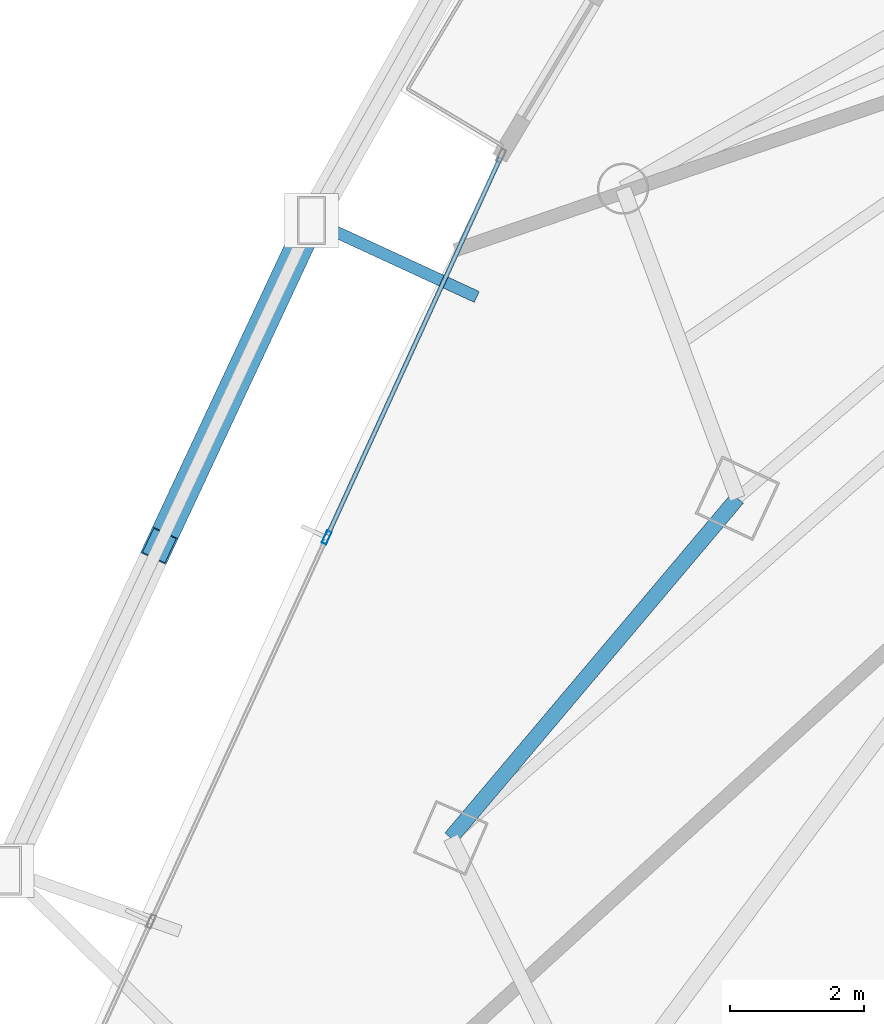
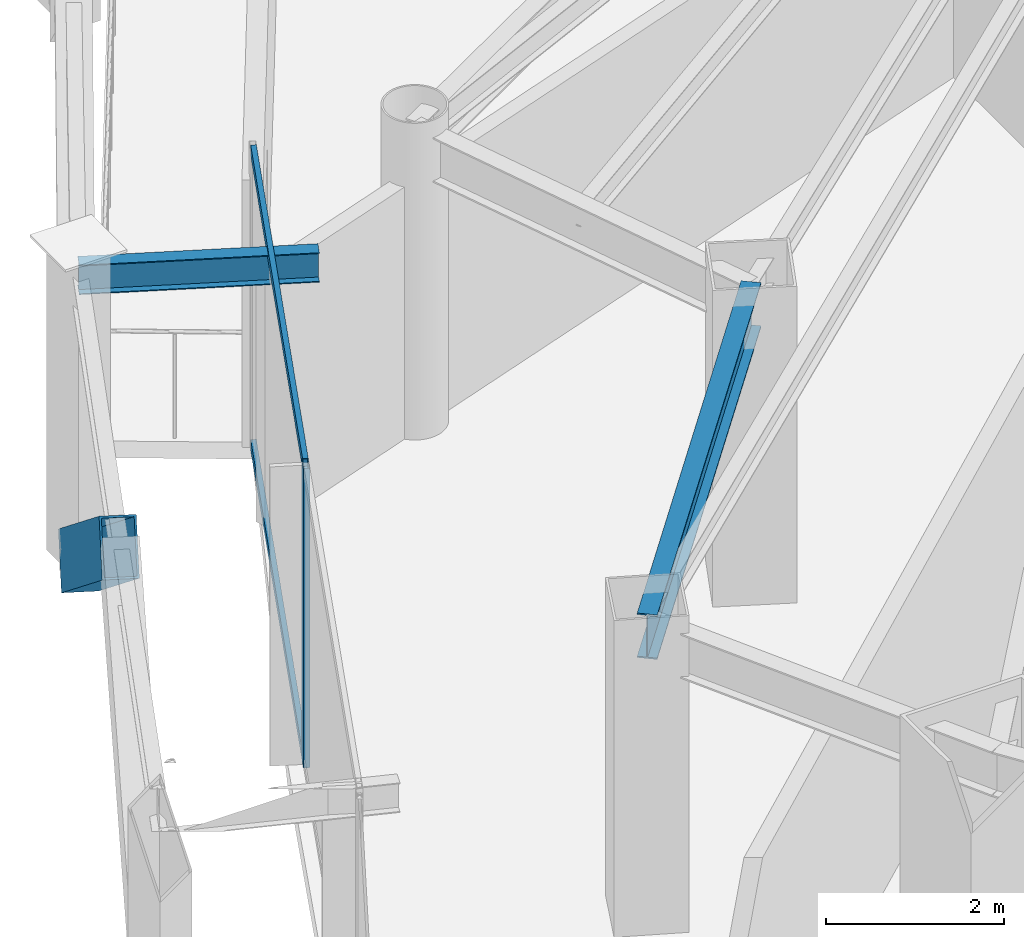
# One storey, part 8 of 33: 4 members, 2 beams, 1 element without a shape of its own.
"""IFC4 building model written with IfcOpenShell, lengths in metres."""

import ifcopenshell
import ifcopenshell.guid

model = None  # the IFC model being written
_history = None  # IfcOwnerHistory: only IFC2X3 demands one
_inside = {}  # id of a spatial element -> (the spatial element, [elements in it])
_under = {}  # id of a project, library or spatial element -> (it, [spatial elements below it])
_declared = {}  # id of a project -> (the project, [libraries it declares])
_typed = {}  # id of a type object -> (the type object, [elements of that type])
_made_of = {}  # id of a material, layer set ... -> (it, [elements and type objects made of it])


def new_model(schema):
    """Start an empty IFC model of exactly this schema.

    Asked for "IFC4X3", IfcOpenShell would pick the latest addendum, in which some entities
    have other attributes; the version numbers below select the first issue.
    IFC2X3 requires an IfcOwnerHistory on every rooted entity: one is made here for all.
    """
    global model, _history
    if schema == "IFC4X3":
        model = ifcopenshell.file(schema_version=(4, 3, 0, 0))
    else:
        model = ifcopenshell.file(schema=schema)
    _inside.clear()
    _under.clear()
    _declared.clear()
    _typed.clear()
    _made_of.clear()
    _history = None
    if model.schema == "IFC2X3":
        org = make("IfcOrganization", Name="unknown")
        user = make(
            "IfcPersonAndOrganization",
            ThePerson=make("IfcPerson", FamilyName="unknown"),
            TheOrganization=org,
        )
        app = make(
            "IfcApplication",
            ApplicationDeveloper=org,
            Version="unknown",
            ApplicationFullName="unknown",
            ApplicationIdentifier="unknown",
        )
        _history = make(
            "IfcOwnerHistory",
            OwningUser=user,
            OwningApplication=app,
            ChangeAction="ADDED",
            CreationDate=0,
        )
    return model


def make(cls, **values):
    """One entity of the class cls with the attributes given. An attribute that is None is left unset."""
    return model.create_entity(
        cls, **{name: value for name, value in values.items() if value is not None}
    )


def rooted(cls, **values):
    """An entity with a GlobalId (a new one), such as an element, a storey or a relation."""
    return make(cls, GlobalId=ifcopenshell.guid.new(), OwnerHistory=_history, **values)


def si_unit(unit_type, name, prefix=None):
    """IfcSIUnit, for example si_unit("LENGTHUNIT", "METRE", prefix="MILLI")."""
    return make("IfcSIUnit", UnitType=unit_type, Prefix=prefix, Name=name)


def assignment(units):
    """IfcUnitAssignment: the units of a project."""
    return None if units is None else make("IfcUnitAssignment", Units=units)


def point(xyz):
    """IfcCartesianPoint."""
    return None if xyz is None else make("IfcCartesianPoint", Coordinates=xyz)


def direction(xyz):
    """IfcDirection."""
    return None if xyz is None else make("IfcDirection", DirectionRatios=xyz)


def frame(location, z_axis=None, x_axis=None):
    """IfcAxis2Placement3D, a coordinate frame: its origin and axes. An axis left out is left unset."""
    return make(
        "IfcAxis2Placement3D",
        Location=point(location),
        Axis=direction(z_axis),
        RefDirection=direction(x_axis),
    )


def frame_2d(location, x_axis=None):
    """IfcAxis2Placement2D, a coordinate frame in the plane: its origin and x axis."""
    return make(
        "IfcAxis2Placement2D", Location=point(location), RefDirection=direction(x_axis)
    )


def origin():
    """The frame at (0, 0, 0) with its axes left unset."""
    return frame((0.0, 0.0, 0.0))


def origin_2d():
    """The frame at (0, 0) in the plane with its x axis left unset."""
    return frame_2d((0.0, 0.0))


def place(relative_to, where):
    """IfcLocalPlacement: puts the frame where relative to a parent placement (None: the world)."""
    return make(
        "IfcLocalPlacement", PlacementRelTo=relative_to, RelativePlacement=where
    )


def context(
    kind, dimensions, precision=None, world=None, true_north=None, identifier=None
):
    """IfcGeometricRepresentationContext, for example the 3D "Model" context."""
    return make(
        "IfcGeometricRepresentationContext",
        ContextIdentifier=identifier,
        ContextType=kind,
        CoordinateSpaceDimension=dimensions,
        Precision=precision,
        WorldCoordinateSystem=world,
        TrueNorth=true_north,
    )


def subcontext(parent, identifier, kind, view, scale=None):
    """IfcGeometricRepresentationSubContext, for example "Body" below "Model"."""
    return make(
        "IfcGeometricRepresentationSubContext",
        ContextIdentifier=identifier,
        ContextType=kind,
        ParentContext=parent,
        TargetScale=scale,
        TargetView=view,
    )


def project(units=None, contexts=None):
    """IfcProject with its units and contexts."""
    return rooted(
        "IfcProject",
        Name="project",
        RepresentationContexts=contexts,
        UnitsInContext=assignment(units),
    )


def spatial(cls, under=None, at=None, **own):
    """A site, building, storey or space (cls), placed at a placement, below another one or the project."""
    s = rooted(cls, ObjectPlacement=at, **own)
    if under is not None:
        _under.setdefault(under.id(), (under, []))[1].append(s)
    return s


def profile(cls, at=None, kind="AREA", **sizes):
    """A parametric profile (cls). Its sizes go by their IFC names, for example OverallWidth=200.0."""
    return make(cls, ProfileType=kind, Position=at, **sizes)


def hollow_rectangle(**sizes):
    """IfcRectangleHollowProfileDef."""
    return profile("IfcRectangleHollowProfileDef", **sizes)


def i_section(**sizes):
    """IfcIShapeProfileDef."""
    return profile("IfcIShapeProfileDef", **sizes)


def extrude(swept, where, along, depth):
    """IfcExtrudedAreaSolid: the profile swept, set in the frame where, extruded along a direction by depth."""
    return make(
        "IfcExtrudedAreaSolid",
        SweptArea=swept,
        Position=where,
        ExtrudedDirection=direction(along),
        Depth=depth,
    )


def shape(context_of_items, identifier, shape_type, items):
    """IfcShapeRepresentation: the items that make up one representation, for example the "Body"."""
    return make(
        "IfcShapeRepresentation",
        ContextOfItems=context_of_items,
        RepresentationIdentifier=identifier,
        RepresentationType=shape_type,
        Items=items,
    )


def material(Name=None, Category=None):
    """IfcMaterial."""
    return make("IfcMaterial", Name=Name, Category=Category)


def layer(
    of_material, thickness, ventilated=None, Name=None, Category=None, Priority=None
):
    """IfcMaterialLayer: one layer of a wall or slab, of a material (None: an air gap)."""
    return make(
        "IfcMaterialLayer",
        Material=of_material,
        LayerThickness=thickness,
        IsVentilated=ventilated,
        Name=Name,
        Category=Category,
        Priority=Priority,
    )


def layer_set(layers, Name=None):
    """IfcMaterialLayerSet."""
    return make("IfcMaterialLayerSet", MaterialLayers=layers, LayerSetName=Name)


def material_profile(
    of_material, cross_section, Name=None, Category=None, Priority=None
):
    """IfcMaterialProfile: a cross section and its material."""
    return make(
        "IfcMaterialProfile",
        Name=Name,
        Material=of_material,
        Profile=cross_section,
        Priority=Priority,
        Category=Category,
    )


def profile_set(profiles, Name=None, composite=None):
    """IfcMaterialProfileSet."""
    return make(
        "IfcMaterialProfileSet",
        Name=Name,
        MaterialProfiles=profiles,
        CompositeProfile=composite,
    )


def made_of(thing, what):
    """Note that an element or type object is made of a material, layer set ...; save() writes the relation."""
    if what is not None:
        _made_of.setdefault(what.id(), (what, []))[1].append(thing)
    return thing


def type_object(cls, material=None, **own):
    """A type object (cls), such as IfcWallType, which elements share."""
    return made_of(rooted(cls, **own), material)


def element(
    cls,
    number,
    at=None,
    inside=None,
    cuts=None,
    type_object=None,
    material=None,
    context=None,
    identifier="Body",
    shape_type=None,
    held_by="IfcProductDefinitionShape",
    body=None,
    shapes=None,
    **own,
):
    """One element of the class cls, such as IfcWall. Its Tag is "e" and its number.

    at: its placement. inside: the storey or other place that contains it. cuts: it is an
    opening in that element (IfcRelVoidsElement). A single representation is given by context,
    identifier, shape_type and body (its items); several are given by shapes. held_by: the class
    of the entity that holds the representations. save() writes the other relations.
    """
    e = rooted(cls, Tag="e%d" % number, ObjectPlacement=at, **own)
    if body is not None:
        shapes = [shape(context, identifier, shape_type, body)]
    if shapes is not None:
        e.Representation = make(held_by, Representations=shapes)
    if inside is not None:
        _inside.setdefault(inside.id(), (inside, []))[1].append(e)
    if cuts is not None:
        rooted(
            "IfcRelVoidsElement", RelatingBuildingElement=cuts, RelatedOpeningElement=e
        )
    if type_object is not None:
        _typed.setdefault(type_object.id(), (type_object, []))[1].append(e)
    return made_of(e, material)


def aggregate(whole, parts):
    """IfcRelAggregates: a whole, such as a stair, and the parts it consists of."""
    return rooted("IfcRelAggregates", RelatingObject=whole, RelatedObjects=parts)


def save(model, path):
    """Write the relations noted so far, then the file.

    IfcRelAggregates (storeys below a building ...), IfcRelContainedInSpatialStructure (elements
    in a storey), IfcRelDefinesByType, IfcRelAssociatesMaterial and IfcRelDeclares: one each for
    every whole, place, type object, material and project.
    """
    for whole, parts in _under.values():
        aggregate(whole, parts)
    for where, things in _inside.values():
        rooted(
            "IfcRelContainedInSpatialStructure",
            RelatedElements=things,
            RelatingStructure=where,
        )
    for kind, things in _typed.values():
        rooted("IfcRelDefinesByType", RelatedObjects=things, RelatingType=kind)
    for what, things in _made_of.values():
        rooted("IfcRelAssociatesMaterial", RelatedObjects=things, RelatingMaterial=what)
    for by, libraries in _declared.values():
        rooted("IfcRelDeclares", RelatingContext=by, RelatedDefinitions=libraries)
    model.write(path)


model = new_model("IFC4")

# Units and contexts
model_context = context("Model", 3, precision=1e-05, world=origin(), true_north=direction((0.0, 1.0)))
body_context = subcontext(model_context, "Body", "Model", "MODEL_VIEW")
ifc_project = project(units=[si_unit("LENGTHUNIT", "METRE"), si_unit("AREAUNIT", "SQUARE_METRE"), si_unit("VOLUMEUNIT", "CUBIC_METRE"), si_unit("PLANEANGLEUNIT", "RADIAN"), si_unit("MASSUNIT", "GRAM", prefix="KILO")], contexts=[model_context])

# Site, building, storey
site_placement = place(None, origin())
site = spatial("IfcSite", under=ifc_project, at=site_placement, CompositionType="ELEMENT")
building_placement = place(site_placement, origin())
building = spatial("IfcBuilding", under=site, at=building_placement, Name="Orvanel Arch Residences", CompositionType="ELEMENT")
storey_placement = place(building_placement, frame((0.0, 0.0, 59.89990234375)))
storey = spatial("IfcBuildingStorey", under=building, at=storey_placement, Name="L16", CompositionType="ELEMENT", Elevation=59.89990234375)

# Member
ifc_material_1 = material(Name="Structural steel AS/NZS 3678 Grade 350", Category="steel")
ifc_material_profile_1 = material_profile(ifc_material_1, hollow_rectangle(XDim=0.419921875, YDim=0.719970703125, WallThickness=0.02490234375, at=origin_2d()), Name="RHS720x420x25")
ifc_profile_set_1 = profile_set([ifc_material_profile_1], Name="Structural steel AS/NZS 3678 Grade 350")
member_type_1 = type_object("IfcMemberType", Name="BR-720RHS-EXT", PredefinedType="BRACE", material=ifc_profile_set_1)
member_1_placement = place(storey_placement, frame((10.01806640625, 23.781005859375, 0.0), z_axis=(-0.342251666324, -0.731421959746, 0.589818373485), x_axis=(0.905745401602, -0.423822212108, 0.0)))
element("IfcMember", 1, at=member_1_placement, inside=storey, type_object=member_type_1, Name="L16 Exterior Sky-Garden V-Frame Chevron F1B3.1", PredefinedType="BRACE", context=body_context, shape_type="SweptSolid", body=[
    extrude(hollow_rectangle(XDim=0.419921875, YDim=0.719970703125, WallThickness=0.02490234375, at=origin_2d()), origin(), (0.0, 0.0, 1.0), 6.6240234375),
])

# Curtain wall, member
ifc_material_2 = material(Name="Bronze-anodised aluminium AA6063-T6", Category="aluminium")
ifc_layer = layer(ifc_material_2, 0.195068359375)
ifc_layer_set = layer_set([ifc_layer], Name="Bronze-anodised aluminium AA6063-T6")
curtain_wall_type = type_object("IfcCurtainWallType", Name="CW6-COM-SYS", PredefinedType="NOTDEFINED", material=ifc_layer_set)
curtain_wall_placement = place(storey_placement, origin())
curtain_wall = element("IfcCurtainWall", 2, at=curtain_wall_placement, inside=storey, type_object=curtain_wall_type, Name="L16 CW6-COM-SYS Unitised Curtain Wall", PredefinedType="NOTDEFINED")
ifc_material_profile_2 = material_profile(ifc_material_2, hollow_rectangle(XDim=0.074951171875, YDim=0.199951171875, WallThickness=0.0048828125, at=origin_2d()), Name="ALU200x75x5")
ifc_profile_set_2 = profile_set([ifc_material_profile_2], Name="Bronze-anodised aluminium AA6063-T6")
member_type_2 = type_object("IfcMemberType", Name="MUL-200x75", PredefinedType="MULLION", material=ifc_profile_set_2)
member_2_placement = place(storey_placement, frame((10.244384765625, 19.057373046875, 0.0), z_axis=(0.0, 0.0, 1.0), x_axis=(0.909406374809, -0.415908698463, 0.0)))
member_2 = element("IfcMember", 3, at=member_2_placement, type_object=member_type_2, Name="CW-S6 mullion 2", PredefinedType="MULLION", context=body_context, shape_type="SweptSolid", body=[
    extrude(hollow_rectangle(XDim=0.074951171875, YDim=0.199951171875, WallThickness=0.0048828125, at=origin_2d()), origin(), (0.0, 0.0, 1.0), 4.110107421875),
])

# Beams
ifc_material_3 = material(Name="Structural steel AS/NZS 3679.1 Grade 300 (300 MPa)", Category="steel")
ifc_material_profile_3 = material_profile(ifc_material_3, i_section(OverallWidth=0.177978515625, OverallDepth=0.406005859375, WebThickness=0.0078125, FlangeThickness=0.0126953125, at=origin_2d()), Name="410UB59.7")
ifc_profile_set_3 = profile_set([ifc_material_profile_3], Name="Structural steel AS/NZS 3679.1 Grade 300 (300 MPa)")
beam_type_1 = type_object("IfcBeamType", Name="OB-410UB-EXT", PredefinedType="SPANDREL", material=ifc_profile_set_3)
beam_1_placement = place(storey_placement, frame((12.48193359375, 22.64306640625, 3.906982421875), z_axis=(-0.907851405338, 0.419292053139, 0.0), x_axis=(-0.419292053139, -0.907851405338, 0.0)))
element("IfcBeam", 4, at=beam_1_placement, inside=storey, type_object=beam_type_1, Name="L16 Outer Frame Radial Tie Beam 03", PredefinedType="SPANDREL", context=body_context, shape_type="SweptSolid", body=[
    extrude(i_section(OverallWidth=0.177978515625, OverallDepth=0.406005859375, WebThickness=0.0078125, FlangeThickness=0.0126953125, at=origin_2d()), origin(), (0.0, 0.0, 1.0), 2.7138671875),
])
ifc_material_profile_4 = material_profile(ifc_material_3, i_section(OverallWidth=0.22900390625, OverallDepth=0.612060546875, WebThickness=0.011962890625, FlangeThickness=0.01953125, at=origin_2d()), Name="610UB125")
ifc_profile_set_4 = profile_set([ifc_material_profile_4], Name="Structural steel AS/NZS 3679.1 Grade 300 (300 MPa)")
beam_type_2 = type_object("IfcBeamType", Name="SP-610UB", PredefinedType="SPANDREL", material=ifc_profile_set_4)
beam_2_placement = place(storey_placement, frame((16.366943359375, 19.64208984375, 3.80419921875), z_axis=(-0.644950329775, -0.764224490659, 0.0), x_axis=(0.764224490659, -0.644950329775, 0.0)))
element("IfcBeam", 5, at=beam_2_placement, inside=storey, type_object=beam_type_2, Name="L16 Perimeter Spandrel Beam 01", PredefinedType="SPANDREL", context=body_context, shape_type="SweptSolid", body=[
    extrude(i_section(OverallWidth=0.22900390625, OverallDepth=0.612060546875, WebThickness=0.011962890625, FlangeThickness=0.01953125, at=origin_2d()), origin(), (0.0, 0.0, 1.0), 6.623779296875),
])

# Member
ifc_material_profile_5 = material_profile(ifc_material_2, hollow_rectangle(XDim=0.06494140625, YDim=0.14990234375, WallThickness=0.00390625, at=origin_2d()), Name="ALU150x65x4")
ifc_profile_set_5 = profile_set([ifc_material_profile_5], Name="Bronze-anodised aluminium AA6063-T6")
member_type_3 = type_object("IfcMemberType", Name="TRN-150x65", PredefinedType="USERDEFINED", material=ifc_profile_set_5)
member_3_placement = place(storey_placement, frame((12.830810546875, 24.712890625, 0.03271484375), z_axis=(-0.415899767113, -0.909410459427, 0.0), x_axis=(0.909410459427, -0.415899767113, 0.0)))
member_3 = element("IfcMember", 6, at=member_3_placement, type_object=member_type_3, Name="CW-S6 transom 1.1", ObjectType="TRANSOM", PredefinedType="USERDEFINED", context=body_context, shape_type="SweptSolid", body=[
    extrude(hollow_rectangle(XDim=0.06494140625, YDim=0.14990234375, WallThickness=0.00390625, at=origin_2d()), origin(), (0.0, 0.0, 1.0), 6.181396484375),
])

member_4_placement = place(storey_placement, frame((12.830810546875, 24.712890625, 4.07763671875), z_axis=(-0.415899767113, -0.909410459427, 0.0), x_axis=(0.909410459427, -0.415899767113, 0.0)))
member_4 = element("IfcMember", 7, at=member_4_placement, type_object=member_type_3, Name="CW-S6 transom 1.2", ObjectType="TRANSOM", PredefinedType="USERDEFINED", context=body_context, shape_type="SweptSolid", body=[
    extrude(hollow_rectangle(XDim=0.06494140625, YDim=0.14990234375, WallThickness=0.00390625, at=origin_2d()), origin(), (0.0, 0.0, 1.0), 6.181396484375),
])

aggregate(curtain_wall, [member_2, member_3, member_4])

save(model, "model.ifc")
